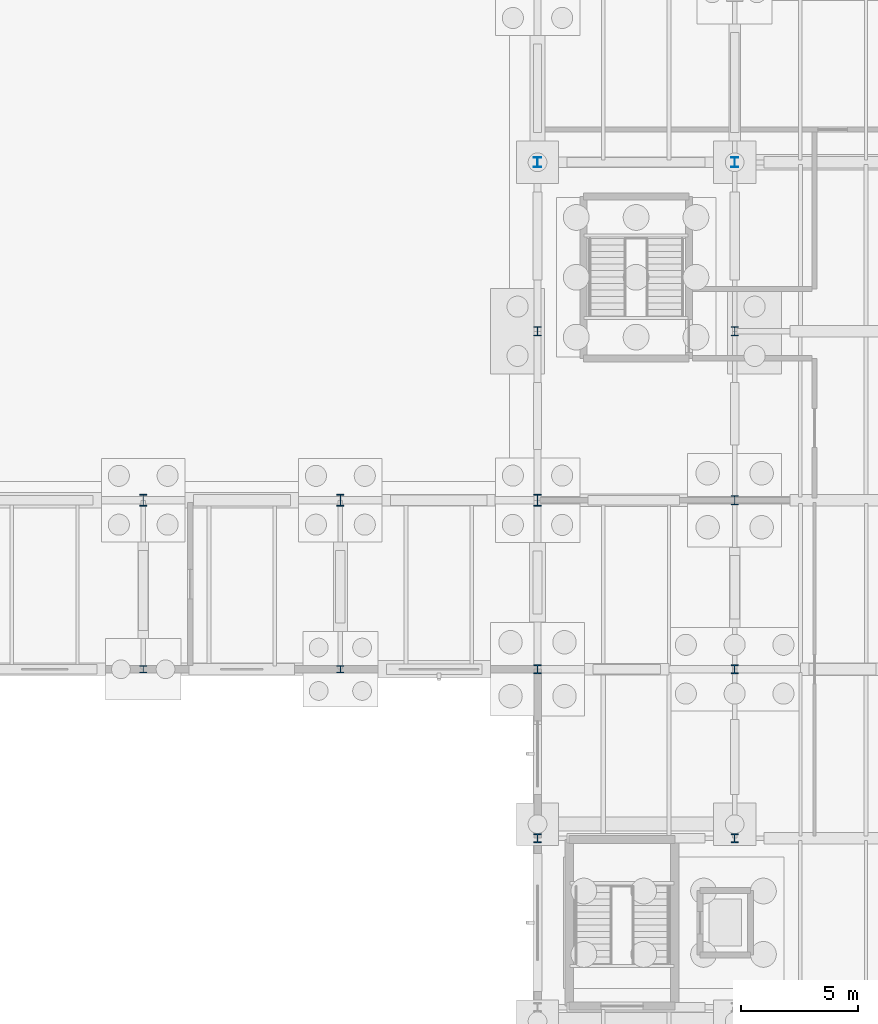
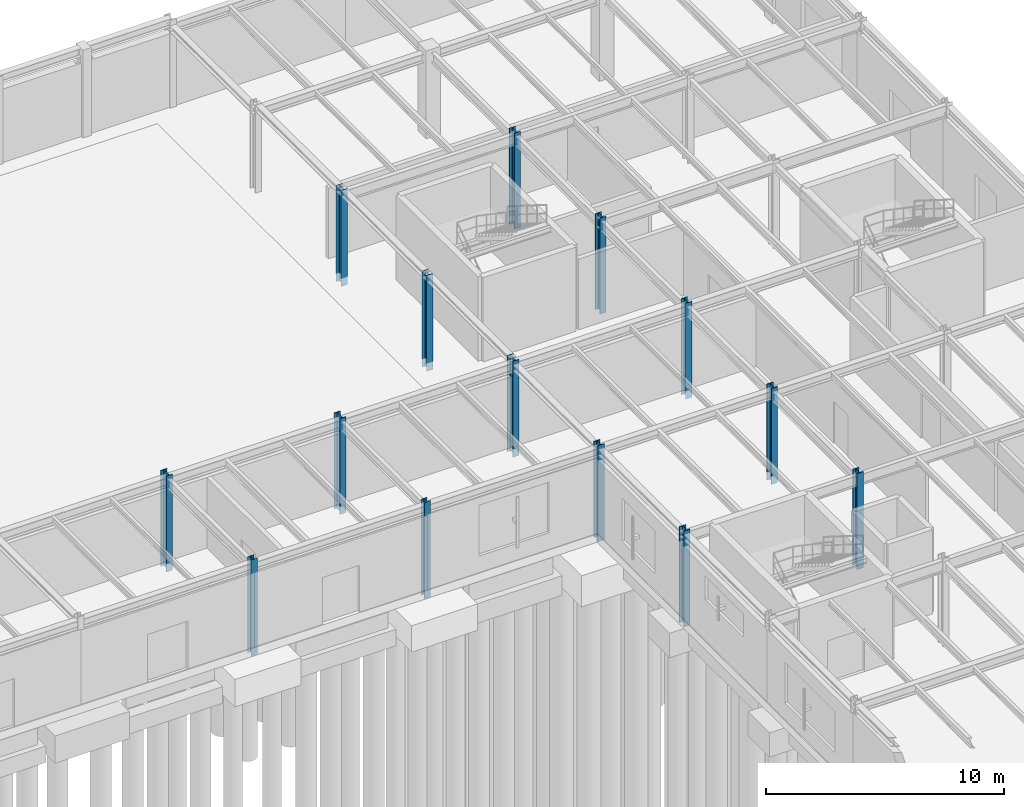
# One storey, part 30 of 93: 14 columns.
"""IFC4 building model written with IfcOpenShell, lengths in metres."""

from ifc_helpers import new_model, si_unit, derived_unit, direction, frame, origin, origin_2d, place, context, subcontext, project, spatial, i_section, extrude, material, material_profile, profile_set, type_object, element, save


model = new_model("IFC4")

# Units and contexts
model_context = context("Model", 3, precision=1e-05, world=origin(), true_north=direction((0.0, 1.0)))
body_context = subcontext(model_context, "Body", "Model", "MODEL_VIEW")
ifc_project = project(units=[si_unit("LENGTHUNIT", "METRE"), si_unit("AREAUNIT", "SQUARE_METRE"), si_unit("VOLUMEUNIT", "CUBIC_METRE"), si_unit("PLANEANGLEUNIT", "RADIAN"), si_unit("MASSUNIT", "GRAM", prefix="KILO"), derived_unit("THERMALTRANSMITTANCEUNIT", [(si_unit("MASSUNIT", "GRAM", prefix="KILO"), 1), (si_unit("TIMEUNIT", "SECOND"), -3), (si_unit("THERMODYNAMICTEMPERATUREUNIT", "KELVIN"), -1)])], contexts=[model_context])

# Site, building, storey
site_placement = place(None, origin())
site = spatial("IfcSite", under=ifc_project, at=site_placement, CompositionType="ELEMENT")
building_placement = place(site_placement, origin())
building = spatial("IfcBuilding", under=site, at=building_placement, Name="Kharveza Railside Sports Centre", CompositionType="ELEMENT")
storey_placement = place(building_placement, origin())
storey = spatial("IfcBuildingStorey", under=building, at=storey_placement, Name="L00", CompositionType="ELEMENT", Elevation=0.0)

# Columns
ifc_material = material(Name="Steel S355J2", Category="steel")
ifc_material_profile_1 = material_profile(ifc_material, i_section(OverallWidth=0.30810546875, OverallDepth=0.39501953125, WebThickness=0.02099609375, FlangeThickness=0.0400390625, FilletRadius=0.027099609375, at=origin_2d()), Name="HEM 360")
ifc_profile_set_1 = profile_set([ifc_material_profile_1], Name="Steel S355J2")
column_type_1 = type_object("IfcColumnType", Name="COL-S02", PredefinedType="COLUMN", material=ifc_profile_set_1)
for number, where, z_axis, x_axis, name in (
    (1, (142.800048828125, 64.800048828125, -0.419921875), (0.0, 0.0, 1.0), (1.0, 0.0, 0.0), "COL-G-C02-X1428-Y648-L00"),
    (2, (142.800048828125, 72.0, -0.419921875), (0.0, 0.0, 1.0), (1.0, 0.0, 0.0), "COL-G-C02-X1428-Y720-L00"),
    (3, (151.199951171875, 64.800048828125, -0.419921875), (0.0, 0.0, 1.0), (1.0, 0.0, 0.0), "COL-G-C02-X1512-Y648-L00"),
    (4, (151.199951171875, 72.0, -0.419921875), (0.0, 0.0, 1.0), (1.0, 0.0, 0.0), "COL-G-C02-X1512-Y720-L00"),
):
    element("IfcColumn", number, at=place(storey_placement, frame(where, z_axis=z_axis, x_axis=x_axis)), inside=storey, type_object=column_type_1, Name=name, PredefinedType="COLUMN", context=body_context, shape_type="SweptSolid", body=[
        extrude(i_section(OverallWidth=0.30810546875, OverallDepth=0.39501953125, WebThickness=0.02099609375, FlangeThickness=0.0400390625, FilletRadius=0.027099609375, at=origin_2d()), origin(), (0.0, 0.0, 1.0), 4.919921875),
    ])
ifc_material_profile_2 = material_profile(ifc_material, i_section(OverallWidth=0.300048828125, OverallDepth=0.5, WebThickness=0.014404296875, FlangeThickness=0.028076171875, FilletRadius=0.027099609375, at=origin_2d()), Name="HEB 500")
ifc_profile_set_2 = profile_set([ifc_material_profile_2], Name="Steel S355J2")
column_type_2 = type_object("IfcColumnType", Name="COL-S03", PredefinedType="COLUMN", material=ifc_profile_set_2)
for number, where, z_axis, x_axis, name in (
    (5, (126.0, 79.199951171875, -0.419921875), (0.0, 0.0, 1.0), (1.0, 0.0, 0.0), "COL-G-C03-X1260-Y792-L00"),
    (6, (134.39990234375, 79.199951171875, -0.419921875), (0.0, 0.0, 1.0), (1.0, 0.0, 0.0), "COL-G-C03-X1344-Y792-L00"),
    (7, (142.800048828125, 79.199951171875, -0.419921875), (0.0, 0.0, 1.0), (1.0, 0.0, 0.0), "COL-G-C03-X1428-Y792-L00"),
):
    element("IfcColumn", number, at=place(storey_placement, frame(where, z_axis=z_axis, x_axis=x_axis)), inside=storey, type_object=column_type_2, Name=name, PredefinedType="COLUMN", context=body_context, shape_type="SweptSolid", body=[
        extrude(i_section(OverallWidth=0.300048828125, OverallDepth=0.5, WebThickness=0.014404296875, FlangeThickness=0.028076171875, FilletRadius=0.027099609375, at=origin_2d()), origin(), (0.0, 0.0, 1.0), 4.919921875),
    ])
ifc_material_profile_3 = material_profile(ifc_material, i_section(OverallWidth=0.300048828125, OverallDepth=0.39990234375, WebThickness=0.013427734375, FlangeThickness=0.02392578125, FilletRadius=0.027099609375, at=origin_2d()), Name="HEB 400")
ifc_profile_set_3 = profile_set([ifc_material_profile_3], Name="Steel S355J2")
column_type_3 = type_object("IfcColumnType", Name="COL-S05", PredefinedType="COLUMN", material=ifc_profile_set_3)
for number, where, z_axis, x_axis, name in (
    (8, (142.800048828125, 86.39990234375, -0.419921875), (0.0, 0.0, 1.0), (1.0, 0.0, 0.0), "COL-G-C05-X1428-Y864-L00"),
    (9, (151.199951171875, 79.199951171875, -0.419921875), (0.0, 0.0, 1.0), (1.0, 0.0, 0.0), "COL-G-C05-X1512-Y792-L00"),
    (10, (151.199951171875, 86.39990234375, -0.419921875), (0.0, 0.0, 1.0), (1.0, 0.0, 0.0), "COL-G-C05-X1512-Y864-L00"),
):
    element("IfcColumn", number, at=place(storey_placement, frame(where, z_axis=z_axis, x_axis=x_axis)), inside=storey, type_object=column_type_3, Name=name, PredefinedType="COLUMN", context=body_context, shape_type="SweptSolid", body=[
        extrude(i_section(OverallWidth=0.300048828125, OverallDepth=0.39990234375, WebThickness=0.013427734375, FlangeThickness=0.02392578125, FilletRadius=0.027099609375, at=origin_2d()), origin(), (0.0, 0.0, 1.0), 4.919921875),
    ])
ifc_material_profile_4 = material_profile(ifc_material, i_section(OverallWidth=0.300048828125, OverallDepth=0.300048828125, WebThickness=0.010986328125, FlangeThickness=0.01904296875, FilletRadius=0.027099609375, at=origin_2d()), Name="HEB 300")
ifc_profile_set_4 = profile_set([ifc_material_profile_4], Name="Steel S355J2")
column_type_4 = type_object("IfcColumnType", Name="COL-S07", PredefinedType="COLUMN", material=ifc_profile_set_4)
for number, where, z_axis, x_axis, name in (
    (11, (126.0, 72.0, -0.419921875), (0.0, 0.0, 1.0), (1.0, 0.0, 0.0), "COL-G-C07-X1260-Y720-L00"),
    (12, (134.39990234375, 72.0, -0.419921875), (0.0, 0.0, 1.0), (1.0, 0.0, 0.0), "COL-G-C07-X1344-Y720-L00"),
):
    element("IfcColumn", number, at=place(storey_placement, frame(where, z_axis=z_axis, x_axis=x_axis)), inside=storey, type_object=column_type_4, Name=name, PredefinedType="COLUMN", context=body_context, shape_type="SweptSolid", body=[
        extrude(i_section(OverallWidth=0.300048828125, OverallDepth=0.300048828125, WebThickness=0.010986328125, FlangeThickness=0.01904296875, FilletRadius=0.027099609375, at=origin_2d()), origin(), (0.0, 0.0, 1.0), 4.919921875),
    ])
ifc_material_profile_5 = material_profile(ifc_material, i_section(OverallWidth=0.300048828125, OverallDepth=0.43994140625, WebThickness=0.011474609375, FlangeThickness=0.02099609375, FilletRadius=0.027099609375, at=origin_2d()), Name="HEA 450")
ifc_profile_set_5 = profile_set([ifc_material_profile_5], Name="Steel S355J2")
column_type_5 = type_object("IfcColumnType", Name="COL-S09", PredefinedType="COLUMN", material=ifc_profile_set_5)
for number, where, z_axis, x_axis, name in (
    (13, (142.800048828125, 93.60009765625, -0.419921875), (0.0, 0.0, 1.0), (1.0, 0.0, 0.0), "COL-G-C09-X1428-Y936-L00"),
    (14, (151.199951171875, 93.60009765625, -0.419921875), (0.0, 0.0, 1.0), (1.0, 0.0, 0.0), "COL-G-C09-X1512-Y936-L00"),
):
    element("IfcColumn", number, at=place(storey_placement, frame(where, z_axis=z_axis, x_axis=x_axis)), inside=storey, type_object=column_type_5, Name=name, PredefinedType="COLUMN", context=body_context, shape_type="SweptSolid", body=[
        extrude(i_section(OverallWidth=0.300048828125, OverallDepth=0.43994140625, WebThickness=0.011474609375, FlangeThickness=0.02099609375, FilletRadius=0.027099609375, at=origin_2d()), origin(), (0.0, 0.0, 1.0), 4.919921875),
    ])

save(model, "model.ifc")
